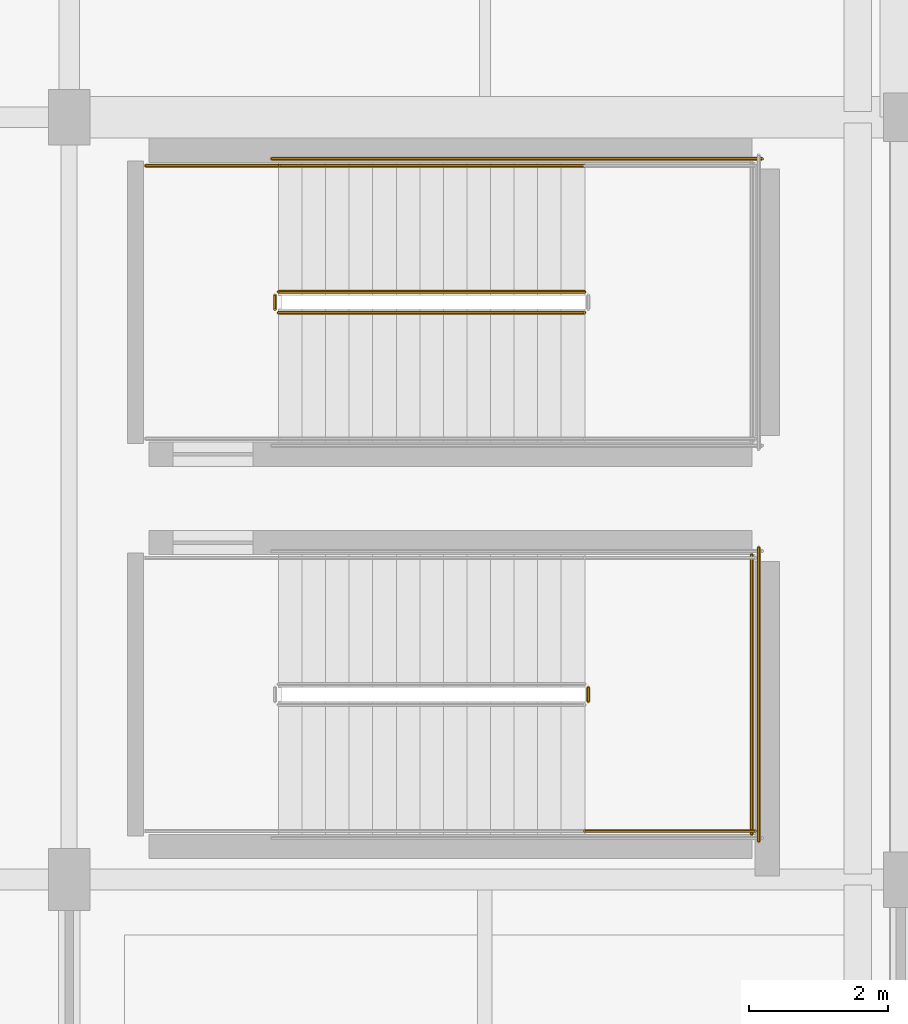
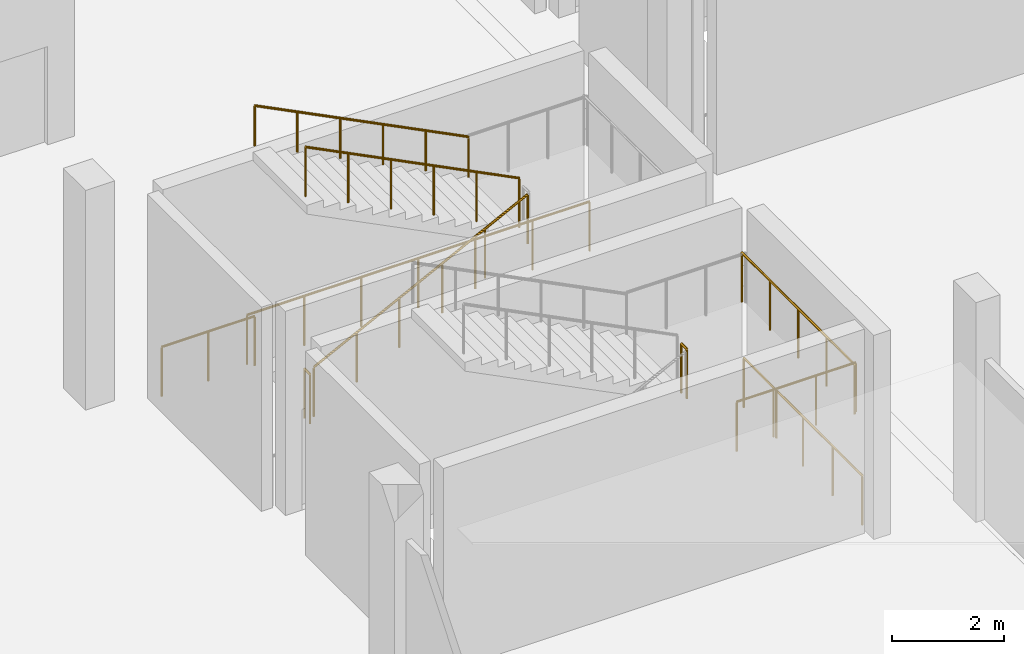
# One storey, part 135 of 143: 10 railings.
"""IFC4 building model written with IfcOpenShell, lengths in metres."""

from ifc_helpers import new_model, si_unit, direction, frame, origin, origin_2d, place, context, subcontext, project, spatial, circle, extrude, material, type_object, element, save


model = new_model("IFC4")

# Units and contexts
model_context = context("Model", 3, precision=1e-05, world=origin(), true_north=direction((0.0, 1.0)))
body_context = subcontext(model_context, "Body", "Model", "MODEL_VIEW")
ifc_project = project(units=[si_unit("LENGTHUNIT", "METRE"), si_unit("AREAUNIT", "SQUARE_METRE"), si_unit("VOLUMEUNIT", "CUBIC_METRE"), si_unit("PLANEANGLEUNIT", "RADIAN"), si_unit("MASSUNIT", "GRAM", prefix="KILO")], contexts=[model_context])

# Site, building, storey
site_placement = place(None, origin())
site = spatial("IfcSite", under=ifc_project, at=site_placement, CompositionType="ELEMENT")
building_placement = place(site_placement, origin())
building = spatial("IfcBuilding", under=site, at=building_placement, Name="Luwafu Chhajja Arena", CompositionType="ELEMENT")
storey_placement = place(building_placement, frame((0.0, 0.0, 5.39990234375)))
storey = spatial("IfcBuildingStorey", under=building, at=storey_placement, Name="L01", CompositionType="ELEMENT", Elevation=5.39990234375)

# Railings
ifc_material_1 = material(Name="Stainless steel handrail", Category="steel")
railing_type_1 = type_object("IfcRailingType", Name="Stair Pitch Wall Handrail 920", PredefinedType="HANDRAIL", material=ifc_material_1)
railing_1_placement = place(storey_placement, frame((159.43994140625, 54.300048828125, 2.571533203125)))
element("IfcRailing", 1, at=railing_1_placement, inside=storey, type_object=railing_type_1, Name="L01 ST-12 stair handrail 2", PredefinedType="HANDRAIL", context=body_context, shape_type="SweptSolid", body=[
    extrude(circle(Radius=0.02392578125, at=origin_2d()), frame((0.0, 0.0, 0.8759765625), z_axis=(-0.89292277971, 0.0, 0.450209850486), x_axis=(0.0, -1.0, 0.0)), (0.0, 0.0, 1.0), 4.949951171875),
    extrude(circle(Radius=0.02099609375, at=origin_2d()), origin(), (0.0, 0.0, 1.0), 0.851806640625),
    extrude(circle(Radius=0.02099609375, at=origin_2d()), frame((-0.884033203125, 0.0, 0.44580078125)), (0.0, 0.0, 1.0), 0.851806640625),
    extrude(circle(Radius=0.02099609375, at=origin_2d()), frame((-1.76806640625, 0.0, 0.891357421875)), (0.0, 0.0, 1.0), 0.851806640625),
    extrude(circle(Radius=0.02099609375, at=origin_2d()), frame((-2.65185546875, 0.0, 1.337158203125)), (0.0, 0.0, 1.0), 0.851806640625),
    extrude(circle(Radius=0.02099609375, at=origin_2d()), frame((-3.535888671875, 0.0, 1.78271484375)), (0.0, 0.0, 1.0), 0.851806640625),
    extrude(circle(Radius=0.02099609375, at=origin_2d()), frame((-4.419921875, 0.0, 2.228515625)), (0.0, 0.0, 1.0), 0.851806640625),
])
ifc_material_2 = material(Name="Stainless steel balustrade", Category="steel")
railing_type_2 = type_object("IfcRailingType", Name="Stair and Terrace Guard Balustrade 1100", PredefinedType="BALUSTRADE", material=ifc_material_2)
railing_2_placement = place(storey_placement, frame((159.489990234375, 46.570068359375, 2.400146484375)))
element("IfcRailing", 2, at=railing_2_placement, inside=storey, type_object=railing_type_2, Name="L01 ST-11 stair guard 2", PredefinedType="BALUSTRADE", context=body_context, shape_type="SweptSolid", body=[
    extrude(circle(Radius=0.02392578125, at=origin_2d()), frame((0.0, 0.0, 1.076171875), z_axis=(0.0, 1.0, 0.0), x_axis=(-1.0, 0.0, 0.0)), (0.0, 0.0, 1.0), 0.199951171875),
    extrude(circle(Radius=0.02099609375, at=origin_2d()), origin(), (0.0, 0.0, 1.0), 1.052001953125),
    extrude(circle(Radius=0.02099609375, at=origin_2d()), frame((0.0, 0.199951171875, 0.0)), (0.0, 0.0, 1.0), 1.052001953125),
])
railing_3_placement = place(storey_placement, frame((159.43994140625, 44.699951171875, 2.400146484375)))
element("IfcRailing", 3, at=railing_3_placement, inside=storey, type_object=railing_type_2, Name="L01 ST-11 stair guard 3", PredefinedType="BALUSTRADE", context=body_context, shape_type="SweptSolid", body=[
    extrude(circle(Radius=0.02392578125, at=origin_2d()), frame((0.0, 0.0, 1.076171875), z_axis=(1.0, 0.0, 0.0), x_axis=(0.0, 1.0, 0.0)), (0.0, 0.0, 1.0), 2.4599609375),
    extrude(circle(Radius=0.02099609375, at=origin_2d()), origin(), (0.0, 0.0, 1.0), 1.052001953125),
    extrude(circle(Radius=0.02099609375, at=origin_2d()), frame((0.820068359375, 0.0, 0.0)), (0.0, 0.0, 1.0), 1.052001953125),
    extrude(circle(Radius=0.02099609375, at=origin_2d()), frame((1.639892578125, 0.0, 0.0)), (0.0, 0.0, 1.0), 1.052001953125),
    extrude(circle(Radius=0.02099609375, at=origin_2d()), frame((2.4599609375, 0.0, 0.0)), (0.0, 0.0, 1.0), 1.052001953125),
])
railing_4_placement = place(storey_placement, frame((161.85009765625, 44.64990234375, 2.400146484375)))
element("IfcRailing", 4, at=railing_4_placement, inside=storey, type_object=railing_type_2, Name="L01 ST-11 stair guard 5", PredefinedType="BALUSTRADE", context=body_context, shape_type="SweptSolid", body=[
    extrude(circle(Radius=0.02392578125, at=origin_2d()), frame((0.0, 0.0, 1.076171875), z_axis=(0.0, 1.0, 0.0), x_axis=(-1.0, 0.0, 0.0)), (0.0, 0.0, 1.0), 4.0400390625),
    extrude(circle(Radius=0.02099609375, at=origin_2d()), origin(), (0.0, 0.0, 1.0), 1.052001953125),
    extrude(circle(Radius=0.02099609375, at=origin_2d()), frame((0.0, 1.010009765625, 0.0)), (0.0, 0.0, 1.0), 1.052001953125),
    extrude(circle(Radius=0.02099609375, at=origin_2d()), frame((0.0, 2.02001953125, 0.0)), (0.0, 0.0, 1.0), 1.052001953125),
    extrude(circle(Radius=0.02099609375, at=origin_2d()), frame((0.0, 3.030029296875, 0.0)), (0.0, 0.0, 1.0), 1.052001953125),
    extrude(circle(Radius=0.02099609375, at=origin_2d()), frame((0.0, 4.0400390625, 0.0)), (0.0, 0.0, 1.0), 1.052001953125),
])
railing_5_placement = place(storey_placement, frame((161.949951171875, 44.550048828125, 0.0)))
element("IfcRailing", 5, at=railing_5_placement, inside=storey, type_object=railing_type_2, Name="L01 ST-11 stair guard 12", PredefinedType="BALUSTRADE", context=body_context, shape_type="SweptSolid", body=[
    extrude(circle(Radius=0.02392578125, at=origin_2d()), frame((0.0, 0.0, 1.076171875), z_axis=(0.0, 1.0, 0.0), x_axis=(-1.0, 0.0, 0.0)), (0.0, 0.0, 1.0), 4.239990234375),
    extrude(circle(Radius=0.02099609375, at=origin_2d()), origin(), (0.0, 0.0, 1.0), 1.052001953125),
    extrude(circle(Radius=0.02099609375, at=origin_2d()), frame((0.0, 1.06005859375, 0.0)), (0.0, 0.0, 1.0), 1.052001953125),
    extrude(circle(Radius=0.02099609375, at=origin_2d()), frame((0.0, 2.1201171875, 0.0)), (0.0, 0.0, 1.0), 1.052001953125),
    extrude(circle(Radius=0.02099609375, at=origin_2d()), frame((0.0, 3.179931640625, 0.0)), (0.0, 0.0, 1.0), 1.052001953125),
    extrude(circle(Radius=0.02099609375, at=origin_2d()), frame((0.0, 4.239990234375, 0.0)), (0.0, 0.0, 1.0), 1.052001953125),
])
railing_6_placement = place(storey_placement, frame((155.02001953125, 52.179931640625, 0.171630859375)))
element("IfcRailing", 6, at=railing_6_placement, inside=storey, type_object=railing_type_2, Name="L01 ST-12 stair guard 1", PredefinedType="BALUSTRADE", context=body_context, shape_type="SweptSolid", body=[
    extrude(circle(Radius=0.02392578125, at=origin_2d()), frame((0.0, 0.0, 1.076171875), z_axis=(0.89292277971, 0.0, 0.450209850486), x_axis=(0.0, 1.0, 0.0)), (0.0, 0.0, 1.0), 4.949951171875),
    extrude(circle(Radius=0.02099609375, at=origin_2d()), origin(), (0.0, 0.0, 1.0), 1.052001953125),
    extrude(circle(Radius=0.02099609375, at=origin_2d()), frame((0.884033203125, 0.0, 0.44580078125)), (0.0, 0.0, 1.0), 1.052001953125),
    extrude(circle(Radius=0.02099609375, at=origin_2d()), frame((1.76806640625, 0.0, 0.891357421875)), (0.0, 0.0, 1.0), 1.052001953125),
    extrude(circle(Radius=0.02099609375, at=origin_2d()), frame((2.65185546875, 0.0, 1.337158203125)), (0.0, 0.0, 1.0), 1.052001953125),
    extrude(circle(Radius=0.02099609375, at=origin_2d()), frame((3.535888671875, 0.0, 1.78271484375)), (0.0, 0.0, 1.0), 1.052001953125),
    extrude(circle(Radius=0.02099609375, at=origin_2d()), frame((4.419921875, 0.0, 2.228515625)), (0.0, 0.0, 1.0), 1.052001953125),
])
railing_7_placement = place(storey_placement, frame((159.43994140625, 52.47998046875, 2.571533203125)))
element("IfcRailing", 7, at=railing_7_placement, inside=storey, type_object=railing_type_2, Name="L01 ST-12 stair guard 6", PredefinedType="BALUSTRADE", context=body_context, shape_type="SweptSolid", body=[
    extrude(circle(Radius=0.02392578125, at=origin_2d()), frame((0.0, 0.0, 1.076171875), z_axis=(-0.89292277971, 0.0, 0.450209850486), x_axis=(0.0, -1.0, 0.0)), (0.0, 0.0, 1.0), 4.949951171875),
    extrude(circle(Radius=0.02099609375, at=origin_2d()), origin(), (0.0, 0.0, 1.0), 1.052001953125),
    extrude(circle(Radius=0.02099609375, at=origin_2d()), frame((-0.884033203125, 0.0, 0.44580078125)), (0.0, 0.0, 1.0), 1.052001953125),
    extrude(circle(Radius=0.02099609375, at=origin_2d()), frame((-1.76806640625, 0.0, 0.891357421875)), (0.0, 0.0, 1.0), 1.052001953125),
    extrude(circle(Radius=0.02099609375, at=origin_2d()), frame((-2.65185546875, 0.0, 1.337158203125)), (0.0, 0.0, 1.0), 1.052001953125),
    extrude(circle(Radius=0.02099609375, at=origin_2d()), frame((-3.535888671875, 0.0, 1.78271484375)), (0.0, 0.0, 1.0), 1.052001953125),
    extrude(circle(Radius=0.02099609375, at=origin_2d()), frame((-4.419921875, 0.0, 2.228515625)), (0.0, 0.0, 1.0), 1.052001953125),
])
railing_8_placement = place(storey_placement, frame((154.969970703125, 52.22998046875, 0.0)))
element("IfcRailing", 8, at=railing_8_placement, inside=storey, type_object=railing_type_2, Name="L01 ST-12 stair guard 7", PredefinedType="BALUSTRADE", context=body_context, shape_type="SweptSolid", body=[
    extrude(circle(Radius=0.02392578125, at=origin_2d()), frame((0.0, 0.0, 1.076171875), z_axis=(0.0, 1.0, 0.0), x_axis=(-1.0, 0.0, 0.0)), (0.0, 0.0, 1.0), 0.199951171875),
    extrude(circle(Radius=0.02099609375, at=origin_2d()), origin(), (0.0, 0.0, 1.0), 1.052001953125),
    extrude(circle(Radius=0.02099609375, at=origin_2d()), frame((0.0, 0.199951171875, 0.0)), (0.0, 0.0, 1.0), 1.052001953125),
])
railing_9_placement = place(storey_placement, frame((153.10009765625, 54.300048828125, 0.0)))
element("IfcRailing", 9, at=railing_9_placement, inside=storey, type_object=railing_type_2, Name="L01 ST-12 stair guard 9", PredefinedType="BALUSTRADE", context=body_context, shape_type="SweptSolid", body=[
    extrude(circle(Radius=0.02392578125, at=origin_2d()), frame((0.0, 0.0, 1.076171875), z_axis=(1.0, 0.0, 0.0), x_axis=(0.0, 1.0, 0.0)), (0.0, 0.0, 1.0), 1.919921875),
    extrude(circle(Radius=0.02099609375, at=origin_2d()), origin(), (0.0, 0.0, 1.0), 1.052001953125),
    extrude(circle(Radius=0.02099609375, at=origin_2d()), frame((0.9599609375, 0.0, 0.0)), (0.0, 0.0, 1.0), 1.052001953125),
    extrude(circle(Radius=0.02099609375, at=origin_2d()), frame((1.919921875, 0.0, 0.0)), (0.0, 0.0, 1.0), 1.052001953125),
])
railing_10_placement = place(storey_placement, frame((154.919921875, 54.39990234375, 0.0)))
element("IfcRailing", 10, at=railing_10_placement, inside=storey, type_object=railing_type_2, Name="L01 ST-12 stair guard 11", PredefinedType="BALUSTRADE", context=body_context, shape_type="SweptSolid", body=[
    extrude(circle(Radius=0.02392578125, at=origin_2d()), frame((0.0, 0.0, 1.076171875), z_axis=(1.0, 0.0, 0.0), x_axis=(0.0, 1.0, 0.0)), (0.0, 0.0, 1.0), 7.080078125),
    extrude(circle(Radius=0.02099609375, at=origin_2d()), origin(), (0.0, 0.0, 1.0), 1.052001953125),
    extrude(circle(Radius=0.02099609375, at=origin_2d()), frame((1.179931640625, 0.0, 0.0)), (0.0, 0.0, 1.0), 1.052001953125),
    extrude(circle(Radius=0.02099609375, at=origin_2d()), frame((2.360107421875, 0.0, 0.0)), (0.0, 0.0, 1.0), 1.052001953125),
    extrude(circle(Radius=0.02099609375, at=origin_2d()), frame((3.5400390625, 0.0, 0.0)), (0.0, 0.0, 1.0), 1.052001953125),
    extrude(circle(Radius=0.02099609375, at=origin_2d()), frame((4.719970703125, 0.0, 0.0)), (0.0, 0.0, 1.0), 1.052001953125),
    extrude(circle(Radius=0.02099609375, at=origin_2d()), frame((5.900146484375, 0.0, 0.0)), (0.0, 0.0, 1.0), 1.052001953125),
    extrude(circle(Radius=0.02099609375, at=origin_2d()), frame((7.080078125, 0.0, 0.0)), (0.0, 0.0, 1.0), 1.052001953125),
])

save(model, "model.ifc")
